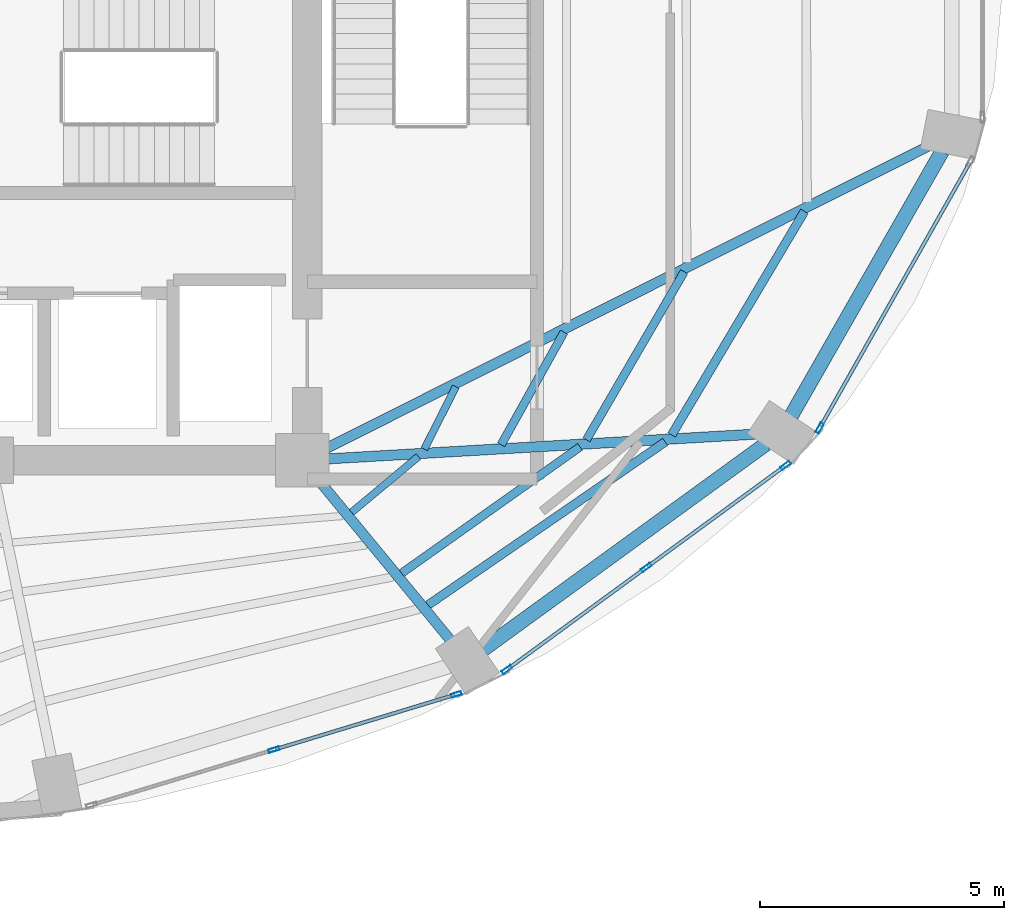
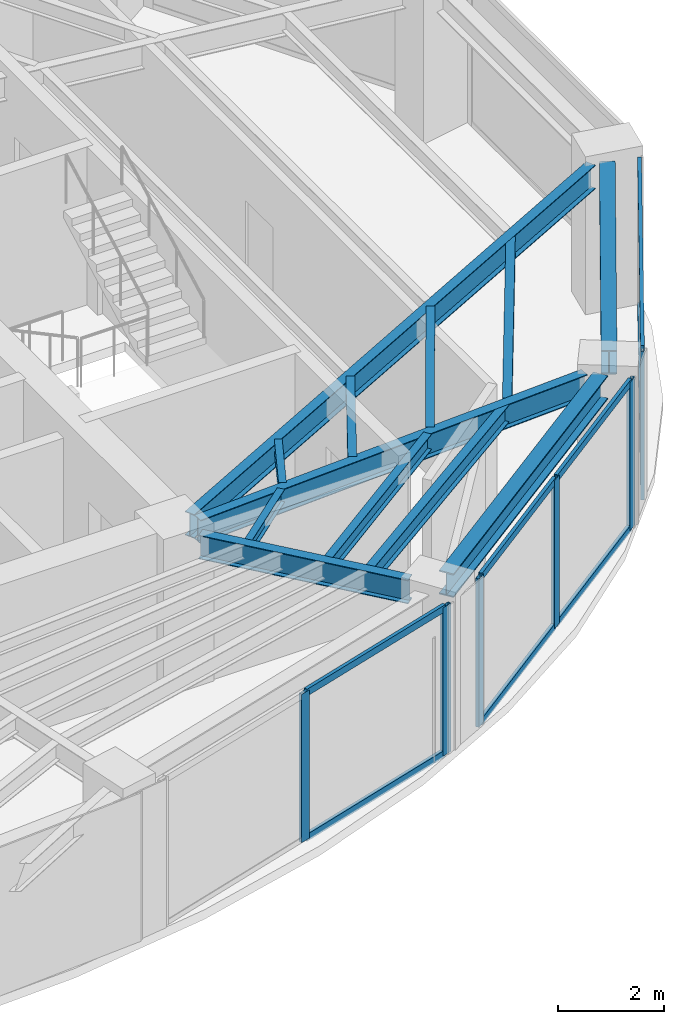
# One storey, part 9 of 20: 14 members, 12 beams, 3 elements without a shape of their own.
"""IFC4 building model written with IfcOpenShell, lengths in metres."""

from ifc_helpers import new_model, si_unit, direction, frame, origin, origin_2d, place, context, subcontext, project, spatial, hollow_rectangle, i_section, extrude, material, layer, layer_set, material_profile, profile_set, type_object, element, aggregate, save


model = new_model("IFC4")

# Units and contexts
model_context = context("Model", 3, precision=1e-05, world=origin(), true_north=direction((0.0, 1.0)))
body_context = subcontext(model_context, "Body", "Model", "MODEL_VIEW")
ifc_project = project(units=[si_unit("LENGTHUNIT", "METRE"), si_unit("AREAUNIT", "SQUARE_METRE"), si_unit("VOLUMEUNIT", "CUBIC_METRE"), si_unit("PLANEANGLEUNIT", "RADIAN"), si_unit("MASSUNIT", "GRAM", prefix="KILO")], contexts=[model_context])

# Site, building, storey
site_placement = place(None, origin())
site = spatial("IfcSite", under=ifc_project, at=site_placement, CompositionType="ELEMENT")
building_placement = place(site_placement, origin())
building = spatial("IfcBuilding", under=site, at=building_placement, Name="Lazwardi Medical Tower", CompositionType="ELEMENT")
storey_placement = place(building_placement, frame((0.0, 0.0, 182.06396484375)))
storey = spatial("IfcBuildingStorey", under=building, at=storey_placement, Name="L47", CompositionType="ELEMENT", Elevation=182.06396484375)

# Beams
ifc_material_1 = material(Name="Steel S355", Category="steel")
ifc_material_profile_1 = material_profile(ifc_material_1, i_section(OverallWidth=0.300048828125, OverallDepth=0.550048828125, WebThickness=0.014892578125, FlangeThickness=0.029052734375, at=origin_2d()), Name="HEB 550")
ifc_profile_set_1 = profile_set([ifc_material_profile_1], Name="Steel S355")
beam_type_1 = type_object("IfcBeamType", Name="BM-RB-Z3", PredefinedType="BEAM", material=ifc_profile_set_1)
beam_1_placement = place(storey_placement, frame((49.310302734375, 16.520751953125, 3.153076171875), z_axis=(0.809127570774, 0.587633026824, 0.0), x_axis=(-0.587633026824, 0.809127570774, 0.0)))
element("IfcBeam", 1, at=beam_1_placement, inside=storey, type_object=beam_type_1, Name="Ring beam RB-04 B02 L47", PredefinedType="BEAM", context=body_context, shape_type="SweptSolid", body=[
    extrude(i_section(OverallWidth=0.300048828125, OverallDepth=0.550048828125, WebThickness=0.014892578125, FlangeThickness=0.029052734375, at=origin_2d()), origin(), (0.0, 0.0, 1.0), 7.170166015625),
])
beam_2_placement = place(storey_placement, frame((55.6337890625, 21.316650390625, 3.153076171875), z_axis=(0.495477752551, 0.868620628771, 0.0), x_axis=(-0.868620628771, 0.495477752551, 0.0)))
element("IfcBeam", 2, at=beam_2_placement, inside=storey, type_object=beam_type_1, Name="Ring beam RB-04 B03 L47", PredefinedType="BEAM", context=body_context, shape_type="SweptSolid", body=[
    extrude(i_section(OverallWidth=0.300048828125, OverallDepth=0.550048828125, WebThickness=0.014892578125, FlangeThickness=0.029052734375, at=origin_2d()), origin(), (0.0, 0.0, 1.0), 6.244384765625),
])
ifc_material_profile_2 = material_profile(ifc_material_1, i_section(OverallWidth=0.2099609375, OverallDepth=0.550048828125, WebThickness=0.010986328125, FlangeThickness=0.01708984375, at=origin_2d()), Name="IPE 550")
ifc_profile_set_2 = profile_set([ifc_material_profile_2], Name="Steel S355")
beam_type_2 = type_object("IfcBeamType", Name="BM-RG-W2", PredefinedType="BEAM", material=ifc_profile_set_2)
beam_3_placement = place(storey_placement, frame((48.630615234375, 16.71826171875, 3.153076171875), z_axis=(-0.635555639966, 0.772055068312, 0.0), x_axis=(-0.772055068312, -0.635555639966, 0.0)))
element("IfcBeam", 3, at=beam_3_placement, inside=storey, type_object=beam_type_2, Name="Radial girder RG-03 R02 L47", PredefinedType="BEAM", context=body_context, shape_type="SweptSolid", body=[
    extrude(i_section(OverallWidth=0.2099609375, OverallDepth=0.550048828125, WebThickness=0.010986328125, FlangeThickness=0.01708984375, at=origin_2d()), origin(), (0.0, 0.0, 1.0), 4.233642578125),
])
beam_4_placement = place(storey_placement, frame((54.87646484375, 20.936767578125, 3.153076171875), z_axis=(-0.998330154646, -0.057765927014, 0.0), x_axis=(0.057765927014, -0.998330154646, 0.0)))
element("IfcBeam", 4, at=beam_4_placement, inside=storey, type_object=beam_type_2, Name="Radial girder RG-03 R03 L47", PredefinedType="BEAM", context=body_context, shape_type="SweptSolid", body=[
    extrude(i_section(OverallWidth=0.2099609375, OverallDepth=0.550048828125, WebThickness=0.010986328125, FlangeThickness=0.01708984375, at=origin_2d()), origin(), (0.0, 0.0, 1.0), 8.757080078125),
])
beam_5_placement = place(storey_placement, frame((58.42529296875, 26.837158203125, 3.153076171875), z_axis=(-0.893740468624, -0.448584412061, 0.0), x_axis=(0.448584412061, -0.893740468624, 0.0)))
element("IfcBeam", 5, at=beam_5_placement, inside=storey, type_object=beam_type_2, Name="Radial girder RG-03 R04 L47", PredefinedType="BEAM", context=body_context, shape_type="SweptSolid", body=[
    extrude(i_section(OverallWidth=0.2099609375, OverallDepth=0.550048828125, WebThickness=0.010986328125, FlangeThickness=0.01708984375, at=origin_2d()), origin(), (0.0, 0.0, 1.0), 13.815185546875),
])
ifc_material_profile_3 = material_profile(ifc_material_1, i_section(OverallWidth=0.179931640625, OverallDepth=0.39990234375, WebThickness=0.008544921875, FlangeThickness=0.013427734375, at=origin_2d()), Name="IPE 400")
ifc_profile_set_3 = profile_set([ifc_material_profile_3], Name="Steel S355")
beam_type_3 = type_object("IfcBeamType", Name="BM-SJ-01", PredefinedType="JOIST", material=ifc_profile_set_3)
beam_6_placement = place(storey_placement, frame((48.1748046875, 17.4287109375, 3.22802734375), z_axis=(0.823932256005, 0.566688307198, 0.0), x_axis=(-0.566688307198, 0.823932256005, 0.0)))
element("IfcBeam", 6, at=beam_6_placement, inside=storey, type_object=beam_type_3, Name="Secondary joist SJ-01 R1 B02 L47", PredefinedType="JOIST", context=body_context, shape_type="SweptSolid", body=[
    extrude(i_section(OverallWidth=0.179931640625, OverallDepth=0.39990234375, WebThickness=0.008544921875, FlangeThickness=0.013427734375, at=origin_2d()), origin(), (0.0, 0.0, 1.0), 5.91162109375),
])
beam_7_placement = place(storey_placement, frame((53.17919921875, 20.921630859375, 3.22802734375), z_axis=(0.510569396963, 0.859836548935, 0.0), x_axis=(-0.859836548935, 0.510569396963, 0.0)))
element("IfcBeam", 7, at=beam_7_placement, inside=storey, type_object=beam_type_3, Name="Secondary joist SJ-01 R1 B03 L47", PredefinedType="JOIST", context=body_context, shape_type="SweptSolid", body=[
    extrude(i_section(OverallWidth=0.179931640625, OverallDepth=0.39990234375, WebThickness=0.008544921875, FlangeThickness=0.013427734375, at=origin_2d()), origin(), (0.0, 0.0, 1.0), 5.33837890625),
])
ifc_material_profile_4 = material_profile(ifc_material_1, i_section(OverallWidth=0.169921875, OverallDepth=0.360107421875, WebThickness=0.008056640625, FlangeThickness=0.0126953125, at=origin_2d()), Name="IPE 360")
ifc_profile_set_4 = profile_set([ifc_material_profile_4], Name="Steel S355")
beam_type_4 = type_object("IfcBeamType", Name="BM-SJ-02", PredefinedType="JOIST", material=ifc_profile_set_4)
beam_8_placement = place(storey_placement, frame((47.635986328125, 18.08349609375, 3.248046875), z_axis=(0.816108950798, 0.577898070967, 0.0), x_axis=(-0.577898070967, 0.816108950798, 0.0)))
element("IfcBeam", 8, at=beam_8_placement, inside=storey, type_object=beam_type_4, Name="Secondary joist SJ-02 R2 B02 L47", PredefinedType="JOIST", context=body_context, shape_type="SweptSolid", body=[
    extrude(i_section(OverallWidth=0.169921875, OverallDepth=0.360107421875, WebThickness=0.008056640625, FlangeThickness=0.0126953125, at=origin_2d()), origin(), (0.0, 0.0, 1.0), 4.487060546875),
])
beam_9_placement = place(storey_placement, frame((51.4296875, 20.82080078125, 3.248046875), z_axis=(0.502665102216, 0.864481228839, 0.0), x_axis=(-0.864481228839, 0.502665102216, 0.0)))
element("IfcBeam", 9, at=beam_9_placement, inside=storey, type_object=beam_type_4, Name="Secondary joist SJ-02 R2 B03 L47", PredefinedType="JOIST", context=body_context, shape_type="SweptSolid", body=[
    extrude(i_section(OverallWidth=0.169921875, OverallDepth=0.360107421875, WebThickness=0.008056640625, FlangeThickness=0.0126953125, at=origin_2d()), origin(), (0.0, 0.0, 1.0), 3.991943359375),
])
beam_10_placement = place(storey_placement, frame((49.6796875, 20.720703125, 3.248046875), z_axis=(0.487099444348, 0.87334651274, 0.0), x_axis=(-0.87334651274, 0.487099444348, 0.0)))
element("IfcBeam", 10, at=beam_10_placement, inside=storey, type_object=beam_type_4, Name="Secondary joist SJ-02 R3 B03 L47", PredefinedType="JOIST", context=body_context, shape_type="SweptSolid", body=[
    extrude(i_section(OverallWidth=0.169921875, OverallDepth=0.360107421875, WebThickness=0.008056640625, FlangeThickness=0.0126953125, at=origin_2d()), origin(), (0.0, 0.0, 1.0), 2.64599609375),
])
ifc_material_profile_5 = material_profile(ifc_material_1, i_section(OverallWidth=0.14990234375, OverallDepth=0.300048828125, WebThickness=0.007080078125, FlangeThickness=0.0107421875, at=origin_2d()), Name="IPE 300")
ifc_profile_set_5 = profile_set([ifc_material_profile_5], Name="Steel S355")
beam_type_5 = type_object("IfcBeamType", Name="BM-SJ-03", PredefinedType="JOIST", material=ifc_profile_set_5)
beam_11_placement = place(storey_placement, frame((46.608642578125, 19.331787109375, 3.278076171875), z_axis=(0.767437193893, 0.641124132621, 0.0), x_axis=(-0.641124132621, 0.767437193893, 0.0)))
element("IfcBeam", 11, at=beam_11_placement, inside=storey, type_object=beam_type_5, Name="Secondary joist SJ-03 R4 B02 L47", PredefinedType="JOIST", context=body_context, shape_type="SweptSolid", body=[
    extrude(i_section(OverallWidth=0.14990234375, OverallDepth=0.300048828125, WebThickness=0.007080078125, FlangeThickness=0.0107421875, at=origin_2d()), origin(), (0.0, 0.0, 1.0), 1.787841796875),
])
beam_12_placement = place(storey_placement, frame((48.1025390625, 20.631591796875, 3.278076171875), z_axis=(0.450406075332, 0.892823816497, 0.0), x_axis=(-0.892823816497, 0.450406075332, 0.0)))
element("IfcBeam", 12, at=beam_12_placement, inside=storey, type_object=beam_type_5, Name="Secondary joist SJ-03 R4 B03 L47", PredefinedType="JOIST", context=body_context, shape_type="SweptSolid", body=[
    extrude(i_section(OverallWidth=0.14990234375, OverallDepth=0.300048828125, WebThickness=0.007080078125, FlangeThickness=0.0107421875, at=origin_2d()), origin(), (0.0, 0.0, 1.0), 1.4365234375),
])

# Curtain wall, members
ifc_material_2 = material(Name="Anodised bronze aluminium and solar control glazing", Category="aluminium")
ifc_layer = layer(ifc_material_2, 0.195068359375)
ifc_layer_set = layer_set([ifc_layer], Name="Anodised bronze aluminium and solar control glazing")
curtain_wall_type = type_object("IfcCurtainWallType", Name="CW-SYS-03", PredefinedType="NOTDEFINED", material=ifc_layer_set)
curtain_wall_1_placement = place(storey_placement, origin())
curtain_wall_1 = element("IfcCurtainWall", 13, at=curtain_wall_1_placement, inside=storey, type_object=curtain_wall_type, Name="L47 Unitised bronze curtain wall CW-03", PredefinedType="NOTDEFINED")
ifc_material_3 = material(Name="Anodised bronze aluminium", Category="aluminium")
ifc_material_profile_6 = material_profile(ifc_material_3, hollow_rectangle(XDim=0.074951171875, YDim=0.219970703125, WallThickness=0.00390625, at=origin_2d()), Name="ALU-MULLION 220x75x4")
ifc_profile_set_6 = profile_set([ifc_material_profile_6], Name="Anodised bronze aluminium")
member_type_1 = type_object("IfcMemberType", Name="CW-MUL-01", PredefinedType="MULLION", material=ifc_profile_set_6)
member_1_placement = place(storey_placement, frame((45.01513671875, 14.461181640625, 0.0), z_axis=(0.0, 0.0, 1.0), x_axis=(-0.290280785441, 0.956941516292, 0.0)))
member_1 = element("IfcMember", 14, at=member_1_placement, type_object=member_type_1, Name="CW-03 mullion 2", PredefinedType="MULLION", context=body_context, shape_type="SweptSolid", body=[
    extrude(hollow_rectangle(XDim=0.074951171875, YDim=0.219970703125, WallThickness=0.00390625, at=origin_2d()), origin(), (0.0, 0.0, 1.0), 3.427978515625),
])
member_2_placement = place(storey_placement, frame((48.758056640625, 15.5966796875, 0.0), z_axis=(0.0, 0.0, 1.0), x_axis=(-0.290280785441, 0.956941516292, 0.0)))
member_2 = element("IfcMember", 15, at=member_2_placement, type_object=member_type_1, Name="CW-03 mullion 3", PredefinedType="MULLION", context=body_context, shape_type="SweptSolid", body=[
    extrude(hollow_rectangle(XDim=0.074951171875, YDim=0.219970703125, WallThickness=0.00390625, at=origin_2d()), origin(), (0.0, 0.0, 1.0), 3.427978515625),
])

curtain_wall_2_placement = place(storey_placement, origin())
curtain_wall_2 = element("IfcCurtainWall", 16, at=curtain_wall_2_placement, inside=storey, type_object=curtain_wall_type, Name="L47 Unitised bronze curtain wall CW-03", PredefinedType="NOTDEFINED")
member_3_placement = place(storey_placement, frame((49.795654296875, 16.105224609375, 0.0), z_axis=(0.0, 0.0, 1.0), x_axis=(-0.590833862635, 0.806793249082, 0.0)))
member_3 = element("IfcMember", 17, at=member_3_placement, type_object=member_type_1, Name="CW-03 mullion 1", PredefinedType="MULLION", context=body_context, shape_type="SweptSolid", body=[
    extrude(hollow_rectangle(XDim=0.074951171875, YDim=0.219970703125, WallThickness=0.00390625, at=origin_2d()), origin(), (0.0, 0.0, 1.0), 3.427978515625),
])
member_4_placement = place(storey_placement, frame((52.65771484375, 18.201171875, 0.0), z_axis=(0.0, 0.0, 1.0), x_axis=(-0.590833862635, 0.806793249082, 0.0)))
member_4 = element("IfcMember", 18, at=member_4_placement, type_object=member_type_1, Name="CW-03 mullion 2", PredefinedType="MULLION", context=body_context, shape_type="SweptSolid", body=[
    extrude(hollow_rectangle(XDim=0.074951171875, YDim=0.219970703125, WallThickness=0.00390625, at=origin_2d()), origin(), (0.0, 0.0, 1.0), 3.427978515625),
])
member_5_placement = place(storey_placement, frame((55.519775390625, 20.297119140625, 0.0), z_axis=(0.0, 0.0, 1.0), x_axis=(-0.590833862635, 0.806793249082, 0.0)))
member_5 = element("IfcMember", 19, at=member_5_placement, type_object=member_type_1, Name="CW-03 mullion 3", PredefinedType="MULLION", context=body_context, shape_type="SweptSolid", body=[
    extrude(hollow_rectangle(XDim=0.074951171875, YDim=0.219970703125, WallThickness=0.00390625, at=origin_2d()), origin(), (0.0, 0.0, 1.0), 3.427978515625),
])

# Curtain wall, member
curtain_wall_3_placement = place(storey_placement, origin())
curtain_wall_3 = element("IfcCurtainWall", 20, at=curtain_wall_3_placement, inside=storey, type_object=curtain_wall_type, Name="L47 Unitised bronze curtain wall CW-03", PredefinedType="NOTDEFINED")
member_6_placement = place(storey_placement, frame((56.217529296875, 21.063232421875, 0.0), z_axis=(0.0, 0.0, 1.0), x_axis=(-0.870418989303, 0.492311672683, 0.0)))
member_6 = element("IfcMember", 21, at=member_6_placement, type_object=member_type_1, Name="CW-03 mullion 1", PredefinedType="MULLION", context=body_context, shape_type="SweptSolid", body=[
    extrude(hollow_rectangle(XDim=0.074951171875, YDim=0.219970703125, WallThickness=0.00390625, at=origin_2d()), origin(), (0.0, 0.0, 1.0), 3.427978515625),
])

# Member
ifc_material_profile_7 = material_profile(ifc_material_3, hollow_rectangle(XDim=0.074951171875, YDim=0.159912109375, WallThickness=0.00390625, at=origin_2d()), Name="ALU-TRANSOM 160x75x4")
ifc_profile_set_7 = profile_set([ifc_material_profile_7], Name="Anodised bronze aluminium")
member_type_2 = type_object("IfcMemberType", Name="CW-TRN-01", PredefinedType="USERDEFINED", material=ifc_profile_set_7)
member_7_placement = place(storey_placement, frame((45.051025390625, 14.47216796875, 0.03759765625), z_axis=(0.956930154175, 0.290318239233, 0.0), x_axis=(-0.290318239233, 0.956930154175, 0.0)))
member_7 = element("IfcMember", 22, at=member_7_placement, type_object=member_type_2, Name="CW-03 transom 2.1", ObjectType="TRANSOM", PredefinedType="USERDEFINED", context=body_context, shape_type="SweptSolid", body=[
    extrude(hollow_rectangle(XDim=0.074951171875, YDim=0.159912109375, WallThickness=0.00390625, at=origin_2d()), origin(), (0.0, 0.0, 1.0), 3.83642578125),
])

member_8_placement = place(storey_placement, frame((45.051025390625, 14.47216796875, 3.390625), z_axis=(0.956930154175, 0.290318239233, 0.0), x_axis=(-0.290318239233, 0.956930154175, 0.0)))
member_8 = element("IfcMember", 23, at=member_8_placement, type_object=member_type_2, Name="CW-03 transom 2.2", ObjectType="TRANSOM", PredefinedType="USERDEFINED", context=body_context, shape_type="SweptSolid", body=[
    extrude(hollow_rectangle(XDim=0.074951171875, YDim=0.159912109375, WallThickness=0.00390625, at=origin_2d()), origin(), (0.0, 0.0, 1.0), 3.83642578125),
])

aggregate(curtain_wall_1, [member_1, member_2, member_7, member_8])

member_9_placement = place(storey_placement, frame((49.825927734375, 16.127197265625, 0.03759765625), z_axis=(0.806773646358, 0.590860629542, 0.0), x_axis=(-0.590860629542, 0.806773646358, 0.0)))
member_9 = element("IfcMember", 24, at=member_9_placement, type_object=member_type_2, Name="CW-03 transom 1.1", ObjectType="TRANSOM", PredefinedType="USERDEFINED", context=body_context, shape_type="SweptSolid", body=[
    extrude(hollow_rectangle(XDim=0.074951171875, YDim=0.159912109375, WallThickness=0.00390625, at=origin_2d()), origin(), (0.0, 0.0, 1.0), 3.472412109375),
])

member_10_placement = place(storey_placement, frame((49.825927734375, 16.127197265625, 3.390625), z_axis=(0.806773646358, 0.590860629542, 0.0), x_axis=(-0.590860629542, 0.806773646358, 0.0)))
member_10 = element("IfcMember", 25, at=member_10_placement, type_object=member_type_2, Name="CW-03 transom 1.2", ObjectType="TRANSOM", PredefinedType="USERDEFINED", context=body_context, shape_type="SweptSolid", body=[
    extrude(hollow_rectangle(XDim=0.074951171875, YDim=0.159912109375, WallThickness=0.00390625, at=origin_2d()), origin(), (0.0, 0.0, 1.0), 3.472412109375),
])

member_11_placement = place(storey_placement, frame((52.68798828125, 18.22314453125, 0.03759765625), z_axis=(0.806773646358, 0.590860629542, 0.0), x_axis=(-0.590860629542, 0.806773646358, 0.0)))
member_11 = element("IfcMember", 26, at=member_11_placement, type_object=member_type_2, Name="CW-03 transom 2.1", ObjectType="TRANSOM", PredefinedType="USERDEFINED", context=body_context, shape_type="SweptSolid", body=[
    extrude(hollow_rectangle(XDim=0.074951171875, YDim=0.159912109375, WallThickness=0.00390625, at=origin_2d()), origin(), (0.0, 0.0, 1.0), 3.472412109375),
])

member_12_placement = place(storey_placement, frame((52.68798828125, 18.22314453125, 3.390625), z_axis=(0.806773646358, 0.590860629542, 0.0), x_axis=(-0.590860629542, 0.806773646358, 0.0)))
member_12 = element("IfcMember", 27, at=member_12_placement, type_object=member_type_2, Name="CW-03 transom 2.2", ObjectType="TRANSOM", PredefinedType="USERDEFINED", context=body_context, shape_type="SweptSolid", body=[
    extrude(hollow_rectangle(XDim=0.074951171875, YDim=0.159912109375, WallThickness=0.00390625, at=origin_2d()), origin(), (0.0, 0.0, 1.0), 3.472412109375),
])

aggregate(curtain_wall_2, [member_3, member_4, member_5, member_9, member_10, member_11, member_12])

member_13_placement = place(storey_placement, frame((56.236083984375, 21.095947265625, 0.03759765625), z_axis=(0.492322860598, 0.870412661289, 0.0), x_axis=(-0.870412661289, 0.492322860598, 0.0)))
member_13 = element("IfcMember", 28, at=member_13_placement, type_object=member_type_2, Name="CW-03 transom 1.1", ObjectType="TRANSOM", PredefinedType="USERDEFINED", context=body_context, shape_type="SweptSolid", body=[
    extrude(hollow_rectangle(XDim=0.074951171875, YDim=0.159912109375, WallThickness=0.00390625, at=origin_2d()), origin(), (0.0, 0.0, 1.0), 6.20849609375),
])

member_14_placement = place(storey_placement, frame((56.236083984375, 21.095947265625, 3.390625), z_axis=(0.492322860598, 0.870412661289, 0.0), x_axis=(-0.870412661289, 0.492322860598, 0.0)))
member_14 = element("IfcMember", 29, at=member_14_placement, type_object=member_type_2, Name="CW-03 transom 1.2", ObjectType="TRANSOM", PredefinedType="USERDEFINED", context=body_context, shape_type="SweptSolid", body=[
    extrude(hollow_rectangle(XDim=0.074951171875, YDim=0.159912109375, WallThickness=0.00390625, at=origin_2d()), origin(), (0.0, 0.0, 1.0), 6.20849609375),
])

aggregate(curtain_wall_3, [member_6, member_13, member_14])

save(model, "model.ifc")
